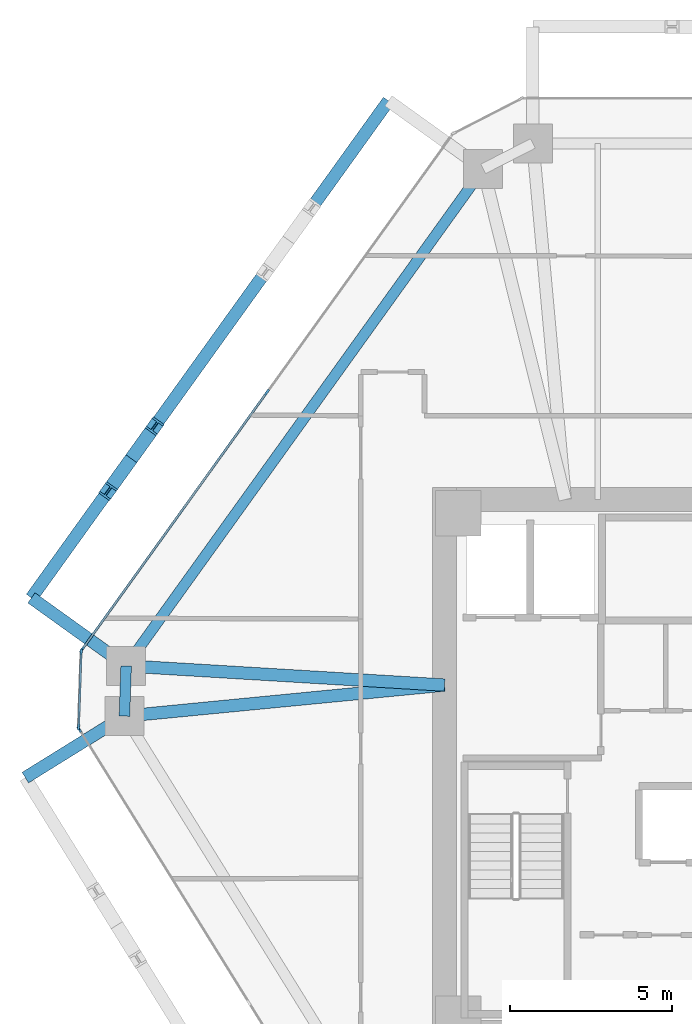
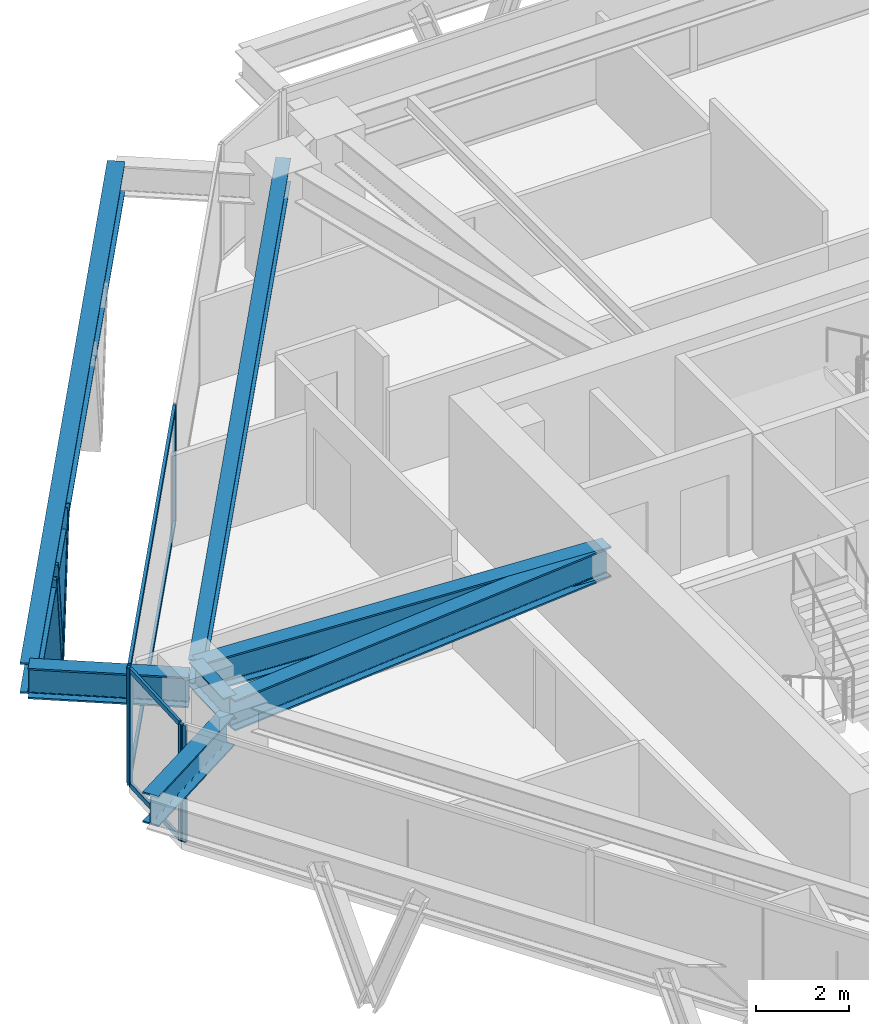
# One storey, part 4 of 13: 11 members, 7 beams, 3 elements without a shape of their own.
"""IFC4 building model written with IfcOpenShell, lengths in metres."""

from ifc_helpers import new_model, si_unit, direction, frame, origin, origin_2d, place, context, subcontext, project, spatial, rectangle, i_section, extrude, source, transform, mapped, material, layer, layer_set, material_profile, profile_set, type_object, type_shapes, element, aggregate, save


model = new_model("IFC4")

# Units and contexts
model_context = context("Model", 3, precision=1e-05, world=origin(), true_north=direction((0.0, 1.0)))
body_context = subcontext(model_context, "Body", "Model", "MODEL_VIEW")
ifc_project = project(units=[si_unit("LENGTHUNIT", "METRE"), si_unit("AREAUNIT", "SQUARE_METRE"), si_unit("VOLUMEUNIT", "CUBIC_METRE"), si_unit("PLANEANGLEUNIT", "RADIAN"), si_unit("MASSUNIT", "GRAM", prefix="KILO")], contexts=[model_context])

# Site, building, storey
site_placement = place(None, origin())
site = spatial("IfcSite", under=ifc_project, at=site_placement, CompositionType="ELEMENT")
building_placement = place(site_placement, origin())
building = spatial("IfcBuilding", under=site, at=building_placement, Name="Durnholm Broadcast Tower", CompositionType="ELEMENT")
storey_placement = place(building_placement, frame((0.0, 0.0, 133.800048828125)))
storey = spatial("IfcBuildingStorey", under=building, at=storey_placement, Name="L36", CompositionType="ELEMENT", Elevation=133.800048828125)

# Beams
ifc_material_1 = material(Name="Steel ASTM A992 Grade 50", Category="steel")
ifc_material_profile_1 = material_profile(ifc_material_1, i_section(OverallWidth=0.385009765625, OverallDepth=0.802978515625, WebThickness=0.023681640625, FlangeThickness=0.0419921875, FilletRadius=0.032958984375, at=origin_2d()), Name="W30X261")
ifc_profile_set_1 = profile_set([ifc_material_profile_1], Name="Steel ASTM A992 Grade 50")
beam_type_1 = type_object("IfcBeamType", Name="BM-EXO-TIE", PredefinedType="USERDEFINED", material=ifc_profile_set_1)
shared_shape_1 = source(origin(), body_context, "Body", "SweptSolid", [
    extrude(i_section(OverallWidth=0.385009765625, OverallDepth=0.802978515625, WebThickness=0.023681640625, FlangeThickness=0.0419921875, FilletRadius=0.032958984375, at=origin_2d()), origin(), (0.0, 0.0, 1.0), 3.4560546875),
])
for number, where, z_axis, x_axis, name in (
    (1, (-20.1669921875, 3.175048828125, 2.30859375), (-0.812164951739, 0.583427880005, 0.0), (-0.583427880005, -0.812164951739, 0.0), "L36 exoskeleton stand-off tie bracket F5.2"),
    (2, (-20.22509765625, 1.465576171875, 2.30859375), (-0.849795112316, -0.527113144481, 0.0), (0.527113144481, -0.849795112316, 0.0), "L36 exoskeleton stand-off tie bracket F6.1"),
):
    element("IfcBeam", number, at=place(storey_placement, frame(where, z_axis=z_axis, x_axis=x_axis)), inside=storey, type_object=beam_type_1, Name=name, ObjectType="GIRDER", PredefinedType="USERDEFINED", context=body_context, shape_type="MappedRepresentation", body=[
        mapped(shared_shape_1, transform((0.0, 0.0, 0.0), x_axis=(1.0, 0.0, 0.0), y_axis=(0.0, 1.0, 0.0), z_axis=(0.0, 0.0, 1.0), scale=1.0)),
    ])
ifc_material_profile_2 = material_profile(ifc_material_1, i_section(OverallWidth=0.3291015625, OverallDepth=0.635009765625, WebThickness=0.017822265625, FlangeThickness=0.031005859375, FilletRadius=0.02783203125, at=origin_2d()), Name="W24X162")
ifc_profile_set_2 = profile_set([ifc_material_profile_2], Name="Steel ASTM A992 Grade 50")
beam_type_2 = type_object("IfcBeamType", Name="STL-SP-W24X162", PredefinedType="SPANDREL", material=ifc_profile_set_2)
shared_shape_2 = source(origin(), body_context, "Body", "SweptSolid", [
    extrude(i_section(OverallWidth=0.3291015625, OverallDepth=0.635009765625, WebThickness=0.017822265625, FlangeThickness=0.031005859375, FilletRadius=0.02783203125, at=origin_2d()), origin(), (0.0, 0.0, 1.0), 1.550537109375),
])
beam_1_placement = place(storey_placement, frame((-20.102783203125, 1.54150390625, 2.7275390625), z_axis=(0.034012135923, 0.999421419928, 0.0), x_axis=(-0.999421419928, 0.034012135923, 0.0)))
element("IfcBeam", 3, at=beam_1_placement, inside=storey, type_object=beam_type_2, Name="L36 perimeter spandrel girder 02", PredefinedType="SPANDREL", context=body_context, shape_type="MappedRepresentation", body=[
    mapped(shared_shape_2, transform((0.0, 0.0, 0.0), x_axis=(1.0, 0.0, 0.0), y_axis=(0.0, 1.0, 0.0), z_axis=(0.0, 0.0, 1.0), scale=1.0)),
])
shared_shape_3 = source(origin(), body_context, "Body", "SweptSolid", [
    extrude(i_section(OverallWidth=0.3291015625, OverallDepth=0.635009765625, WebThickness=0.017822265625, FlangeThickness=0.031005859375, FilletRadius=0.02783203125, at=origin_2d()), origin(), (0.0, 0.0, 1.0), 18.884521484375),
])
type_shapes(beam_type_2, [shared_shape_2, shared_shape_3])
beam_2_placement = place(storey_placement, frame((-20.050048828125, 3.091064453125, 2.7275390625), z_axis=(0.583443434414, 0.812153777827, 0.0), x_axis=(-0.812153777827, 0.583443434414, 0.0)))
element("IfcBeam", 4, at=beam_2_placement, inside=storey, type_object=beam_type_2, Name="L36 perimeter spandrel girder 03", PredefinedType="SPANDREL", context=body_context, shape_type="MappedRepresentation", body=[
    mapped(shared_shape_3, transform((0.0, 0.0, 0.0), x_axis=(1.0, 0.0, 0.0), y_axis=(0.0, 1.0, 0.0), z_axis=(0.0, 0.0, 1.0), scale=1.0)),
])
ifc_material_profile_3 = material_profile(ifc_material_1, i_section(OverallWidth=0.385009765625, OverallDepth=0.802978515625, WebThickness=0.023681640625, FlangeThickness=0.0419921875, FilletRadius=0.032958984375, at=origin_2d()), Name="W30X261")
ifc_profile_set_3 = profile_set([ifc_material_profile_3], Name="Steel ASTM A992 Grade 50")
beam_type_3 = type_object("IfcBeamType", Name="STL-GR-W30X261", PredefinedType="USERDEFINED", material=ifc_profile_set_3)
shared_shape_4 = source(origin(), body_context, "Body", "SweptSolid", [
    extrude(i_section(OverallWidth=0.385009765625, OverallDepth=0.802978515625, WebThickness=0.023681640625, FlangeThickness=0.0419921875, FilletRadius=0.032958984375, at=origin_2d()), origin(), (0.0, 0.0, 1.0), 9.924072265625),
])
beam_3_placement = place(storey_placement, frame((-10.22509765625, 2.5, 2.6435546875), z_axis=(-0.995324947968, -0.096582855378, 0.0), x_axis=(0.096582855378, -0.995324947968, 0.0)))
element("IfcBeam", 5, at=beam_3_placement, inside=storey, type_object=beam_type_3, Name="L36 radial primary floor girder 02", ObjectType="GIRDER", PredefinedType="USERDEFINED", context=body_context, shape_type="MappedRepresentation", body=[
    mapped(shared_shape_4, transform((0.0, 0.0, 0.0), x_axis=(1.0, 0.0, 0.0), y_axis=(0.0, 1.0, 0.0), z_axis=(0.0, 0.0, 1.0), scale=1.0)),
])
shared_shape_5 = source(origin(), body_context, "Body", "SweptSolid", [
    extrude(i_section(OverallWidth=0.385009765625, OverallDepth=0.802978515625, WebThickness=0.023681640625, FlangeThickness=0.0419921875, FilletRadius=0.032958984375, at=origin_2d()), origin(), (0.0, 0.0, 1.0), 9.8427734375),
])
type_shapes(beam_type_3, [shared_shape_4, shared_shape_5])
beam_4_placement = place(storey_placement, frame((-10.22509765625, 2.5, 2.6435546875), z_axis=(-0.998195312551, 0.0600509617, 0.0), x_axis=(-0.0600509617, -0.998195312551, 0.0)))
element("IfcBeam", 6, at=beam_4_placement, inside=storey, type_object=beam_type_3, Name="L36 radial primary floor girder 03", ObjectType="GIRDER", PredefinedType="USERDEFINED", context=body_context, shape_type="MappedRepresentation", body=[
    mapped(shared_shape_5, transform((0.0, 0.0, 0.0), x_axis=(1.0, 0.0, 0.0), y_axis=(0.0, 1.0, 0.0), z_axis=(0.0, 0.0, 1.0), scale=1.0)),
])
shared_shape_6 = source(origin(), body_context, "Body", "SweptSolid", [
    extrude(i_section(OverallWidth=0.385009765625, OverallDepth=0.802978515625, WebThickness=0.023681640625, FlangeThickness=0.0419921875, FilletRadius=0.032958984375, at=origin_2d()), origin(), (0.0, 0.0, 1.0), 18.884765625),
])
type_shapes(beam_type_1, [shared_shape_1, shared_shape_6])
beam_5_placement = place(storey_placement, frame((-11.955810546875, 20.52880859375, 2.30859375), z_axis=(-0.583437308554, -0.812158178551, 0.0), x_axis=(0.812158178551, -0.583437308554, 0.0)))
element("IfcBeam", 7, at=beam_5_placement, inside=storey, type_object=beam_type_1, Name="L36 exoskeleton collector spandrel F5", PredefinedType="SPANDREL", context=body_context, shape_type="MappedRepresentation", body=[
    mapped(shared_shape_6, transform((0.0, 0.0, 0.0), x_axis=(1.0, 0.0, 0.0), y_axis=(0.0, 1.0, 0.0), z_axis=(0.0, 0.0, 1.0), scale=1.0)),
])

# Members
ifc_material_2 = material(Name="Steel ASTM A913 Grade 65", Category="steel")
ifc_material_profile_4 = material_profile(ifc_material_2, i_section(OverallWidth=0.41845703125, OverallDepth=0.455078125, WebThickness=0.0419921875, FlangeThickness=0.067626953125, FilletRadius=0.030517578125, at=origin_2d()), Name="W14X370")
ifc_profile_set_4 = profile_set([ifc_material_profile_4], Name="Steel ASTM A913 Grade 65")
member_type_1 = type_object("IfcMemberType", Name="STL-DG-W14X370", PredefinedType="BRACE", material=ifc_profile_set_4)
shared_shape_7 = source(origin(), body_context, "Body", "SweptSolid", [
    extrude(i_section(OverallWidth=0.41845703125, OverallDepth=0.455078125, WebThickness=0.0419921875, FlangeThickness=0.067626953125, FilletRadius=0.030517578125, at=origin_2d()), origin(), (0.0, 0.0, 1.0), 3.523193359375),
])
type_shapes(member_type_1, [shared_shape_7])
for number, where, z_axis, x_axis, name in (
    (8, (-19.888916015625, 9.48583984375, -0.991455078125), (0.204350195342, 0.284454917557, 0.936657033039), (-0.812153063014, 0.583444429434, 0.0), "L36 stand-off diagrid brace F5.D2.1"),
    (9, (-19.888916015625, 9.48583984375, -0.991455078125), (-0.204287819296, -0.284395254542, 0.936688756248), (0.812179469647, -0.583407669717, 0.0), "L36 stand-off diagrid brace F5.D2.2"),
):
    element("IfcMember", number, at=place(storey_placement, frame(where, z_axis=z_axis, x_axis=x_axis)), inside=storey, type_object=member_type_1, Name=name, PredefinedType="BRACE", context=body_context, shape_type="MappedRepresentation", body=[
        mapped(shared_shape_7, transform((0.0, 0.0, 0.0), x_axis=(1.0, 0.0, 0.0), y_axis=(0.0, 1.0, 0.0), z_axis=(0.0, 0.0, 1.0), scale=1.0)),
    ])

# Curtain wall, members
ifc_material_3 = material(Name="Aluminium and Solar Control IGU", Category="aluminium")
ifc_layer_1 = layer(ifc_material_3, 0.1650390625)
ifc_layer_set_1 = layer_set([ifc_layer_1], Name="Aluminium and Solar Control IGU")
curtain_wall_type_1 = type_object("IfcCurtainWallType", Name="CW-SYS-5", PredefinedType="NOTDEFINED", material=ifc_layer_set_1)
curtain_wall_1_placement = place(storey_placement, origin())
curtain_wall_1 = element("IfcCurtainWall", 10, at=curtain_wall_1_placement, inside=storey, type_object=curtain_wall_type_1, Name="L36 curtain wall CW-CORNER CW-L36-CRN-01", PredefinedType="NOTDEFINED")
ifc_material_4 = material(Name="Aluminium 6063-T6", Category="aluminium")
ifc_material_profile_5 = material_profile(ifc_material_4, rectangle(XDim=0.06494140625, YDim=0.1650390625, at=origin_2d()), Name="CWM65X165")
ifc_profile_set_5 = profile_set([ifc_material_profile_5], Name="Aluminium 6063-T6")
member_type_2 = type_object("IfcMemberType", Name="CW-SYS-5-MUL", PredefinedType="MULLION", material=ifc_profile_set_5)
shared_shape_8 = source(origin(), body_context, "Body", "SweptSolid", [
    extrude(rectangle(XDim=0.06494140625, YDim=0.1650390625, at=origin_2d()), origin(), (0.0, 0.0, 1.0), 3.06005859375),
])
type_shapes(member_type_2, [shared_shape_8])
member_1_placement = place(storey_placement, frame((-21.51513671875, 1.19677734375, 0.0), z_axis=(0.0, 0.0, 1.0), x_axis=(-0.999424655155, 0.033916937775, 0.0)))
member_1 = element("IfcMember", 11, at=member_1_placement, type_object=member_type_2, Name="CW-CORNER mullion 1", PredefinedType="MULLION", context=body_context, shape_type="MappedRepresentation", body=[
    mapped(shared_shape_8, transform((0.0, 0.0, 0.0), x_axis=(1.0, 0.0, 0.0), y_axis=(0.0, 1.0, 0.0), z_axis=(0.0, 0.0, 1.0), scale=1.0)),
])
member_2_placement = place(storey_placement, frame((-21.43603515625, 3.530517578125, 0.0), z_axis=(0.0, 0.0, 1.0), x_axis=(-0.999424655155, 0.033916937775, 0.0)))
member_2 = element("IfcMember", 12, at=member_2_placement, type_object=member_type_2, Name="CW-CORNER mullion 2", PredefinedType="MULLION", context=body_context, shape_type="MappedRepresentation", body=[
    mapped(shared_shape_8, transform((0.0, 0.0, 0.0), x_axis=(1.0, 0.0, 0.0), y_axis=(0.0, 1.0, 0.0), z_axis=(0.0, 0.0, 1.0), scale=1.0)),
])

ifc_layer_2 = layer(ifc_material_3, 0.18994140625)
ifc_layer_set_2 = layer_set([ifc_layer_2], Name="Aluminium and Solar Control IGU")
curtain_wall_type_2 = type_object("IfcCurtainWallType", Name="CW-SYS-3", PredefinedType="NOTDEFINED", material=ifc_layer_set_2)
curtain_wall_2_placement = place(storey_placement, origin())
curtain_wall_2 = element("IfcCurtainWall", 13, at=curtain_wall_2_placement, inside=storey, type_object=curtain_wall_type_2, Name="L36 curtain wall CW-Z12-VIS CW-L36-F02", PredefinedType="NOTDEFINED")
ifc_material_profile_6 = material_profile(ifc_material_4, rectangle(XDim=0.070068359375, YDim=0.18994140625, at=origin_2d()), Name="CWM70X190")
ifc_profile_set_6 = profile_set([ifc_material_profile_6], Name="Aluminium 6063-T6")
member_type_3 = type_object("IfcMemberType", Name="CW-SYS-3-MUL", PredefinedType="MULLION", material=ifc_profile_set_6)
shared_shape_9 = source(origin(), body_context, "Body", "SweptSolid", [
    extrude(rectangle(XDim=0.070068359375, YDim=0.18994140625, at=origin_2d()), origin(), (0.0, 0.0, 1.0), 3.06005859375),
])
type_shapes(member_type_3, [shared_shape_9])
member_3_placement = place(storey_placement, frame((-21.41455078125, 3.59130859375, 0.0), z_axis=(0.0, 0.0, 1.0), x_axis=(-0.812152312759, 0.583445473786, 0.0)))
member_3 = element("IfcMember", 14, at=member_3_placement, type_object=member_type_3, Name="CW-Z12-VIS mullion 1", PredefinedType="MULLION", context=body_context, shape_type="MappedRepresentation", body=[
    mapped(shared_shape_9, transform((0.0, 0.0, 0.0), x_axis=(1.0, 0.0, 0.0), y_axis=(0.0, 1.0, 0.0), z_axis=(0.0, 0.0, 1.0), scale=1.0)),
])
member_4_placement = place(storey_placement, frame((-15.703369140625, 11.541259765625, 0.0), z_axis=(0.0, 0.0, 1.0), x_axis=(-0.812152312759, 0.583445473786, 0.0)))
member_4 = element("IfcMember", 15, at=member_4_placement, type_object=member_type_3, Name="CW-Z12-VIS mullion 2", PredefinedType="MULLION", context=body_context, shape_type="MappedRepresentation", body=[
    mapped(shared_shape_9, transform((0.0, 0.0, 0.0), x_axis=(1.0, 0.0, 0.0), y_axis=(0.0, 1.0, 0.0), z_axis=(0.0, 0.0, 1.0), scale=1.0)),
])

# Curtain wall, member
curtain_wall_3_placement = place(storey_placement, origin())
curtain_wall_3 = element("IfcCurtainWall", 16, at=curtain_wall_3_placement, inside=storey, type_object=curtain_wall_type_2, Name="L36 curtain wall CW-Z12-VIS CW-L36-F12", PredefinedType="NOTDEFINED")
member_5_placement = place(storey_placement, frame((-21.497802734375, 1.134765625, 0.0), z_axis=(0.0, 0.0, 1.0), x_axis=(-0.849799925229, -0.527105385176, 0.0)))
member_5 = element("IfcMember", 17, at=member_5_placement, type_object=member_type_3, Name="CW-Z12-VIS mullion 3", PredefinedType="MULLION", context=body_context, shape_type="MappedRepresentation", body=[
    mapped(shared_shape_9, transform((0.0, 0.0, 0.0), x_axis=(1.0, 0.0, 0.0), y_axis=(0.0, 1.0, 0.0), z_axis=(0.0, 0.0, 1.0), scale=1.0)),
])
aggregate(curtain_wall_3, [member_5])

# Member
ifc_material_profile_7 = material_profile(ifc_material_4, rectangle(XDim=0.06494140625, YDim=0.1298828125, at=origin_2d()), Name="CWT65X130")
ifc_profile_set_7 = profile_set([ifc_material_profile_7], Name="Aluminium 6063-T6")
member_type_4 = type_object("IfcMemberType", Name="CW-SYS-5-TRN", PredefinedType="USERDEFINED", material=ifc_profile_set_7)
shared_shape_10 = source(origin(), body_context, "Body", "SweptSolid", [
    extrude(rectangle(XDim=0.06494140625, YDim=0.1298828125, at=origin_2d()), origin(), (0.0, 0.0, 1.0), 2.27001953125),
])
type_shapes(member_type_4, [shared_shape_10])
member_6_placement = place(storey_placement, frame((-21.51416015625, 1.229248046875, 0.032470703125), z_axis=(0.03398444704, 0.999422361847, 0.0), x_axis=(-0.999422361847, 0.03398444704, 0.0)))
member_6 = element("IfcMember", 18, at=member_6_placement, type_object=member_type_4, Name="CW-CORNER transom 1.1", ObjectType="TRANSOM", PredefinedType="USERDEFINED", context=body_context, shape_type="MappedRepresentation", body=[
    mapped(shared_shape_10, transform((0.0, 0.0, 0.0), x_axis=(1.0, 0.0, 0.0), y_axis=(0.0, 1.0, 0.0), z_axis=(0.0, 0.0, 1.0), scale=1.0)),
])

member_7_placement = place(storey_placement, frame((-21.51416015625, 1.229248046875, 3.02734375), z_axis=(0.03398444704, 0.999422361847, 0.0), x_axis=(-0.999422361847, 0.03398444704, 0.0)))
member_7 = element("IfcMember", 19, at=member_7_placement, type_object=member_type_4, Name="CW-CORNER transom 1.2", ObjectType="TRANSOM", PredefinedType="USERDEFINED", context=body_context, shape_type="MappedRepresentation", body=[
    mapped(shared_shape_10, transform((0.0, 0.0, 0.0), x_axis=(1.0, 0.0, 0.0), y_axis=(0.0, 1.0, 0.0), z_axis=(0.0, 0.0, 1.0), scale=1.0)),
])

aggregate(curtain_wall_1, [member_1, member_2, member_6, member_7])

ifc_material_profile_8 = material_profile(ifc_material_4, rectangle(XDim=0.070068359375, YDim=0.14990234375, at=origin_2d()), Name="CWT70X150")
ifc_profile_set_8 = profile_set([ifc_material_profile_8], Name="Aluminium 6063-T6")
member_type_5 = type_object("IfcMemberType", Name="CW-SYS-3-TRN", PredefinedType="USERDEFINED", material=ifc_profile_set_8)
shared_shape_11 = source(origin(), body_context, "Body", "SweptSolid", [
    extrude(rectangle(XDim=0.070068359375, YDim=0.14990234375, at=origin_2d()), origin(), (0.0, 0.0, 1.0), 9.71875),
])
type_shapes(member_type_5, [shared_shape_11])
member_8_placement = place(storey_placement, frame((-21.39404296875, 3.619873046875, 0.034912109375), z_axis=(0.583450726174, 0.812148539448, 0.0), x_axis=(-0.812148539448, 0.583450726174, 0.0)))
member_8 = element("IfcMember", 20, at=member_8_placement, type_object=member_type_5, Name="CW-Z12-VIS transom 1.1", ObjectType="TRANSOM", PredefinedType="USERDEFINED", context=body_context, shape_type="MappedRepresentation", body=[
    mapped(shared_shape_11, transform((0.0, 0.0, 0.0), x_axis=(1.0, 0.0, 0.0), y_axis=(0.0, 1.0, 0.0), z_axis=(0.0, 0.0, 1.0), scale=1.0)),
])

member_9_placement = place(storey_placement, frame((-21.39404296875, 3.619873046875, 3.02490234375), z_axis=(0.583450726174, 0.812148539448, 0.0), x_axis=(-0.812148539448, 0.583450726174, 0.0)))
member_9 = element("IfcMember", 21, at=member_9_placement, type_object=member_type_5, Name="CW-Z12-VIS transom 1.2", ObjectType="TRANSOM", PredefinedType="USERDEFINED", context=body_context, shape_type="MappedRepresentation", body=[
    mapped(shared_shape_11, transform((0.0, 0.0, 0.0), x_axis=(1.0, 0.0, 0.0), y_axis=(0.0, 1.0, 0.0), z_axis=(0.0, 0.0, 1.0), scale=1.0)),
])

aggregate(curtain_wall_2, [member_3, member_4, member_8, member_9])

save(model, "model.ifc")
